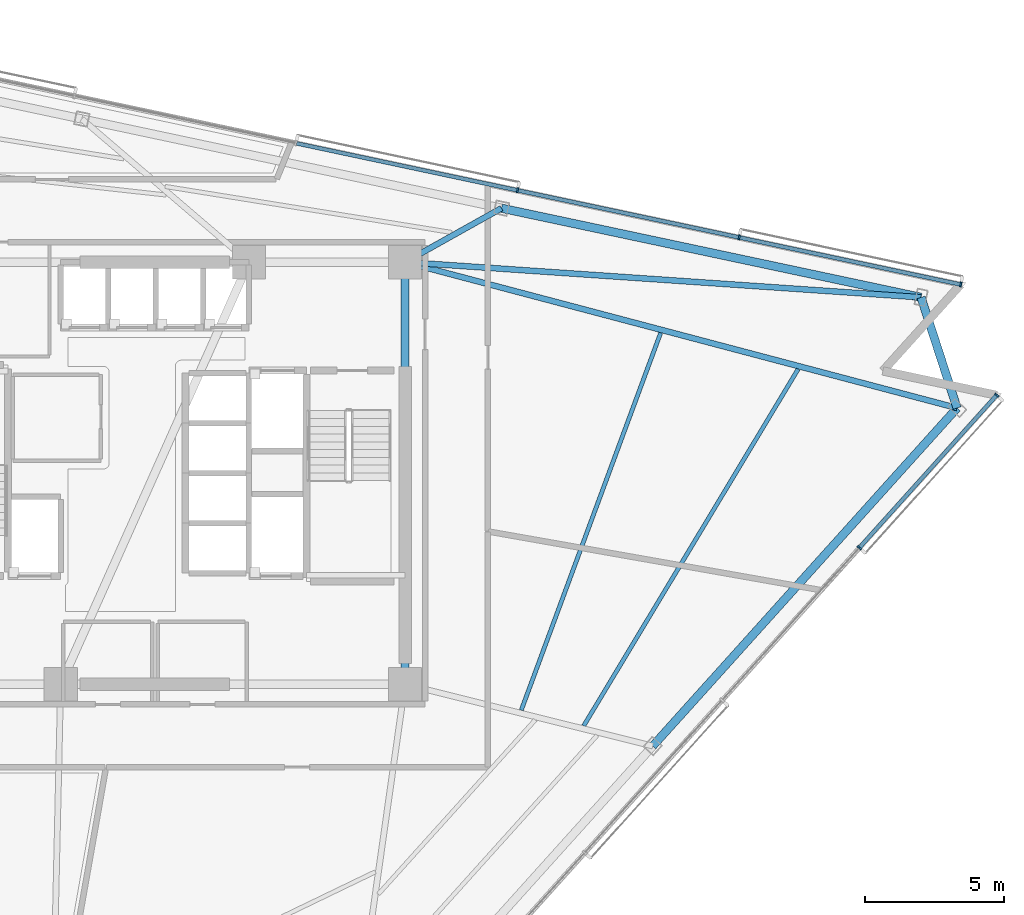
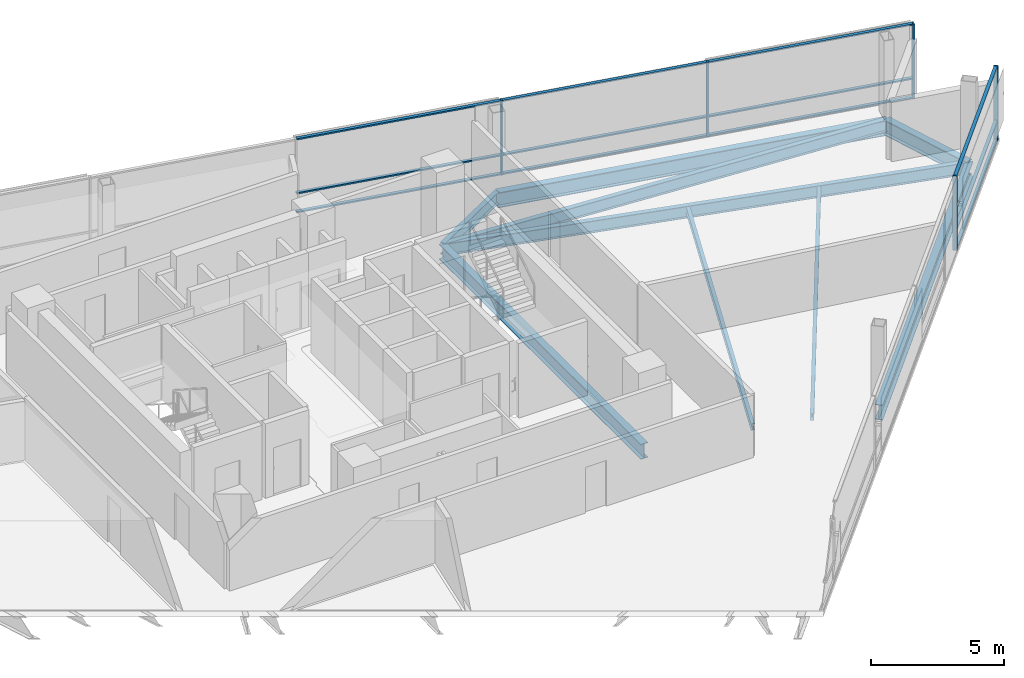
# One storey, part 8 of 16: 17 members, 9 beams, 2 elements without a shape of their own.
"""IFC4 building model written with IfcOpenShell, lengths in metres."""

from ifc_helpers import new_model, si_unit, direction, frame, origin, origin_2d, place, context, subcontext, project, spatial, rectangle, i_section, extrude, material, layer, layer_set, material_profile, profile_set, type_object, element, aggregate, save


model = new_model("IFC4")

# Units and contexts
model_context = context("Model", 3, precision=1e-05, world=origin(), true_north=direction((0.0, 1.0)))
body_context = subcontext(model_context, "Body", "Model", "MODEL_VIEW")
ifc_project = project(units=[si_unit("LENGTHUNIT", "METRE"), si_unit("AREAUNIT", "SQUARE_METRE"), si_unit("VOLUMEUNIT", "CUBIC_METRE"), si_unit("PLANEANGLEUNIT", "RADIAN"), si_unit("MASSUNIT", "GRAM", prefix="KILO")], contexts=[model_context])

# Site, building, storey
site_placement = place(None, origin())
site = spatial("IfcSite", under=ifc_project, at=site_placement, CompositionType="ELEMENT")
building_placement = place(site_placement, origin())
building = spatial("IfcBuilding", under=site, at=building_placement, Name="Tharavind Bronze Gate", CompositionType="ELEMENT")
storey_placement = place(building_placement, frame((0.0, 0.0, 211.25)))
storey = spatial("IfcBuildingStorey", under=building, at=storey_placement, Name="L54", CompositionType="ELEMENT", Elevation=211.25)

# Curtain wall, members
ifc_material_1 = material(Name="Anodised Bronze Aluminium", Category="aluminium")
ifc_layer = layer(ifc_material_1, 0.219970703125)
ifc_layer_set = layer_set([ifc_layer], Name="Anodised Bronze Aluminium")
curtain_wall_type = type_object("IfcCurtainWallType", Name="UNITISED CURTAIN WALL MID OFFICE", PredefinedType="USERDEFINED", material=ifc_layer_set)
curtain_wall_1_placement = place(storey_placement, origin())
curtain_wall_1 = element("IfcCurtainWall", 1, at=curtain_wall_1_placement, inside=storey, type_object=curtain_wall_type, Name="L54 unitised curtain wall mid office CW-L54-S2", ObjectType="UNITISED CURTAIN WALL", PredefinedType="USERDEFINED")
member_type_1 = type_object("IfcMemberType", Name="CURTAIN WALL BRONZE MULLION 65X180", PredefinedType="MULLION", material=ifc_material_1)
member_1_placement = place(storey_placement, frame((25.2548828125, -2.680908203125, 0.0), z_axis=(0.0, 0.0, 1.0), x_axis=(0.669130606359, 0.743144825477, 0.0)))
member_1 = element("IfcMember", 2, at=member_1_placement, type_object=member_type_1, Name="CW-L54-S2 mullion 7", PredefinedType="MULLION", context=body_context, shape_type="SweptSolid", body=[
    extrude(rectangle(XDim=0.06494140625, YDim=0.179931640625, at=origin_2d()), origin(), (0.0, 0.0, 1.0), 3.419921875),
])
member_2_placement = place(storey_placement, frame((30.199462890625, 2.810546875, 0.0), z_axis=(0.0, 0.0, 1.0), x_axis=(0.669130606359, 0.743144825477, 0.0)))
member_2 = element("IfcMember", 3, at=member_2_placement, type_object=member_type_1, Name="CW-L54-S2 mullion 8", PredefinedType="MULLION", context=body_context, shape_type="SweptSolid", body=[
    extrude(rectangle(XDim=0.06494140625, YDim=0.179931640625, at=origin_2d()), origin(), (0.0, 0.0, 1.0), 3.419921875),
])

curtain_wall_2_placement = place(storey_placement, origin())
curtain_wall_2 = element("IfcCurtainWall", 4, at=curtain_wall_2_placement, inside=storey, type_object=curtain_wall_type, Name="L54 unitised curtain wall mid office CW-L54-S3", ObjectType="UNITISED CURTAIN WALL", PredefinedType="USERDEFINED")
member_3_placement = place(storey_placement, frame((28.9052734375, 6.793701171875, 0.0), z_axis=(0.0, 0.0, 1.0), x_axis=(-0.978147600734, 0.207911690818, 0.0)))
member_3 = element("IfcMember", 5, at=member_3_placement, type_object=member_type_1, Name="CW-L54-S3 mullion 1", PredefinedType="MULLION", context=body_context, shape_type="SweptSolid", body=[
    extrude(rectangle(XDim=0.06494140625, YDim=0.179931640625, at=origin_2d()), origin(), (0.0, 0.0, 1.0), 3.419921875),
])
member_4_placement = place(storey_placement, frame((20.927734375, 8.4892578125, 0.0), z_axis=(0.0, 0.0, 1.0), x_axis=(-0.978147600734, 0.207911690818, 0.0)))
member_4 = element("IfcMember", 6, at=member_4_placement, type_object=member_type_1, Name="CW-L54-S3 mullion 2", PredefinedType="MULLION", context=body_context, shape_type="SweptSolid", body=[
    extrude(rectangle(XDim=0.06494140625, YDim=0.179931640625, at=origin_2d()), origin(), (0.0, 0.0, 1.0), 3.419921875),
])
member_5_placement = place(storey_placement, frame((12.9501953125, 10.184814453125, 0.0), z_axis=(0.0, 0.0, 1.0), x_axis=(-0.978147600734, 0.207911690818, 0.0)))
member_5 = element("IfcMember", 7, at=member_5_placement, type_object=member_type_1, Name="CW-L54-S3 mullion 3", PredefinedType="MULLION", context=body_context, shape_type="SweptSolid", body=[
    extrude(rectangle(XDim=0.06494140625, YDim=0.179931640625, at=origin_2d()), origin(), (0.0, 0.0, 1.0), 3.419921875),
])

# Member
member_type_2 = type_object("IfcMemberType", Name="CURTAIN WALL BRONZE TRANSOM 65X140", PredefinedType="USERDEFINED", material=ifc_material_1)
member_6_placement = place(storey_placement, frame((27.72705078125, 0.06494140625, 0.0), z_axis=(0.0, 0.0, 1.0), x_axis=(0.669130606359, 0.743144825477, 0.0)))
member_6 = element("IfcMember", 8, at=member_6_placement, type_object=member_type_2, Name="CW-L54-S2 transom TB7", ObjectType="TRANSOM", PredefinedType="USERDEFINED", context=body_context, shape_type="SweptSolid", body=[
    extrude(rectangle(XDim=7.33642578125, YDim=0.139892578125, at=origin_2d()), origin(), (0.0, 0.0, 1.0), 0.06494140625),
])

member_7_placement = place(storey_placement, frame((27.72705078125, 0.06494140625, 0.867431640625), z_axis=(0.0, 0.0, 1.0), x_axis=(0.669130606359, 0.743144825477, 0.0)))
member_7 = element("IfcMember", 9, at=member_7_placement, type_object=member_type_2, Name="CW-L54-S2 transom TS7", ObjectType="TRANSOM", PredefinedType="USERDEFINED", context=body_context, shape_type="SweptSolid", body=[
    extrude(rectangle(XDim=7.33642578125, YDim=0.139892578125, at=origin_2d()), origin(), (0.0, 0.0, 1.0), 0.06494140625),
])

member_8_placement = place(storey_placement, frame((27.72705078125, 0.06494140625, 3.35498046875), z_axis=(0.0, 0.0, 1.0), x_axis=(0.669130606359, 0.743144825477, 0.0)))
member_8 = element("IfcMember", 10, at=member_8_placement, type_object=member_type_2, Name="CW-L54-S2 transom TT7", ObjectType="TRANSOM", PredefinedType="USERDEFINED", context=body_context, shape_type="SweptSolid", body=[
    extrude(rectangle(XDim=7.33642578125, YDim=0.139892578125, at=origin_2d()), origin(), (0.0, 0.0, 1.0), 0.06494140625),
])

aggregate(curtain_wall_1, [member_1, member_2, member_6, member_7, member_8])

member_9_placement = place(storey_placement, frame((24.91650390625, 7.641357421875, 0.0), z_axis=(0.0, 0.0, 1.0), x_axis=(-0.978147600734, 0.207911690818, 0.0)))
member_9 = element("IfcMember", 11, at=member_9_placement, type_object=member_type_2, Name="CW-L54-S3 transom TB1", ObjectType="TRANSOM", PredefinedType="USERDEFINED", context=body_context, shape_type="SweptSolid", body=[
    extrude(rectangle(XDim=8.102783203125, YDim=0.139892578125, at=origin_2d()), origin(), (0.0, 0.0, 1.0), 0.06494140625),
])

member_10_placement = place(storey_placement, frame((24.91650390625, 7.641357421875, 0.867431640625), z_axis=(0.0, 0.0, 1.0), x_axis=(-0.978147600734, 0.207911690818, 0.0)))
member_10 = element("IfcMember", 12, at=member_10_placement, type_object=member_type_2, Name="CW-L54-S3 transom TS1", ObjectType="TRANSOM", PredefinedType="USERDEFINED", context=body_context, shape_type="SweptSolid", body=[
    extrude(rectangle(XDim=8.102783203125, YDim=0.139892578125, at=origin_2d()), origin(), (0.0, 0.0, 1.0), 0.06494140625),
])

member_11_placement = place(storey_placement, frame((24.91650390625, 7.641357421875, 3.35498046875), z_axis=(0.0, 0.0, 1.0), x_axis=(-0.978147600734, 0.207911690818, 0.0)))
member_11 = element("IfcMember", 13, at=member_11_placement, type_object=member_type_2, Name="CW-L54-S3 transom TT1", ObjectType="TRANSOM", PredefinedType="USERDEFINED", context=body_context, shape_type="SweptSolid", body=[
    extrude(rectangle(XDim=8.102783203125, YDim=0.139892578125, at=origin_2d()), origin(), (0.0, 0.0, 1.0), 0.06494140625),
])

member_12_placement = place(storey_placement, frame((16.93896484375, 9.337158203125, 0.0), z_axis=(0.0, 0.0, 1.0), x_axis=(-0.978147600734, 0.207911690818, 0.0)))
member_12 = element("IfcMember", 14, at=member_12_placement, type_object=member_type_2, Name="CW-L54-S3 transom TB2", ObjectType="TRANSOM", PredefinedType="USERDEFINED", context=body_context, shape_type="SweptSolid", body=[
    extrude(rectangle(XDim=8.102783203125, YDim=0.139892578125, at=origin_2d()), origin(), (0.0, 0.0, 1.0), 0.06494140625),
])

member_13_placement = place(storey_placement, frame((16.93896484375, 9.337158203125, 0.867431640625), z_axis=(0.0, 0.0, 1.0), x_axis=(-0.978147600734, 0.207911690818, 0.0)))
member_13 = element("IfcMember", 15, at=member_13_placement, type_object=member_type_2, Name="CW-L54-S3 transom TS2", ObjectType="TRANSOM", PredefinedType="USERDEFINED", context=body_context, shape_type="SweptSolid", body=[
    extrude(rectangle(XDim=8.102783203125, YDim=0.139892578125, at=origin_2d()), origin(), (0.0, 0.0, 1.0), 0.06494140625),
])

member_14_placement = place(storey_placement, frame((16.93896484375, 9.337158203125, 3.35498046875), z_axis=(0.0, 0.0, 1.0), x_axis=(-0.978147600734, 0.207911690818, 0.0)))
member_14 = element("IfcMember", 16, at=member_14_placement, type_object=member_type_2, Name="CW-L54-S3 transom TT2", ObjectType="TRANSOM", PredefinedType="USERDEFINED", context=body_context, shape_type="SweptSolid", body=[
    extrude(rectangle(XDim=8.102783203125, YDim=0.139892578125, at=origin_2d()), origin(), (0.0, 0.0, 1.0), 0.06494140625),
])

member_15_placement = place(storey_placement, frame((8.96142578125, 11.03271484375, 0.0), z_axis=(0.0, 0.0, 1.0), x_axis=(-0.978147600734, 0.207911690818, 0.0)))
member_15 = element("IfcMember", 17, at=member_15_placement, type_object=member_type_2, Name="CW-L54-S3 transom TB3", ObjectType="TRANSOM", PredefinedType="USERDEFINED", context=body_context, shape_type="SweptSolid", body=[
    extrude(rectangle(XDim=8.102783203125, YDim=0.139892578125, at=origin_2d()), origin(), (0.0, 0.0, 1.0), 0.06494140625),
])

member_16_placement = place(storey_placement, frame((8.96142578125, 11.03271484375, 0.867431640625), z_axis=(0.0, 0.0, 1.0), x_axis=(-0.978147600734, 0.207911690818, 0.0)))
member_16 = element("IfcMember", 18, at=member_16_placement, type_object=member_type_2, Name="CW-L54-S3 transom TS3", ObjectType="TRANSOM", PredefinedType="USERDEFINED", context=body_context, shape_type="SweptSolid", body=[
    extrude(rectangle(XDim=8.102783203125, YDim=0.139892578125, at=origin_2d()), origin(), (0.0, 0.0, 1.0), 0.06494140625),
])

member_17_placement = place(storey_placement, frame((8.96142578125, 11.03271484375, 3.35498046875), z_axis=(0.0, 0.0, 1.0), x_axis=(-0.978147600734, 0.207911690818, 0.0)))
member_17 = element("IfcMember", 19, at=member_17_placement, type_object=member_type_2, Name="CW-L54-S3 transom TT3", ObjectType="TRANSOM", PredefinedType="USERDEFINED", context=body_context, shape_type="SweptSolid", body=[
    extrude(rectangle(XDim=8.102783203125, YDim=0.139892578125, at=origin_2d()), origin(), (0.0, 0.0, 1.0), 0.06494140625),
])

aggregate(curtain_wall_2, [member_3, member_4, member_5, member_9, member_10, member_11, member_12, member_13, member_14, member_15, member_16, member_17])

# Beams
ifc_material_2 = material(Name="Steel S355", Category="steel")
ifc_material_profile_1 = material_profile(ifc_material_2, i_section(OverallWidth=0.2099609375, OverallDepth=0.550048828125, WebThickness=0.010986328125, FlangeThickness=0.01708984375, at=origin_2d()), Name="IPE550")
ifc_profile_set_1 = profile_set([ifc_material_profile_1], Name="Steel S355")
beam_type_1 = type_object("IfcBeamType", Name="PRIMARY GIRDER IPE550", PredefinedType="USERDEFINED", material=ifc_profile_set_1)
beam_1_placement = place(storey_placement, frame((28.772705078125, 2.34716796875, -0.455078125), z_axis=(-0.966795643793, 0.255550744749, 0.0), x_axis=(-0.255550744749, -0.966795643793, 0.0)))
element("IfcBeam", 20, at=beam_1_placement, inside=storey, type_object=beam_type_1, Name="L54 primary girder ipe550 BM-L54-RAD08", ObjectType="GIRDER", PredefinedType="USERDEFINED", context=body_context, shape_type="SweptSolid", body=[
    extrude(i_section(OverallWidth=0.2099609375, OverallDepth=0.550048828125, WebThickness=0.010986328125, FlangeThickness=0.01708984375, at=origin_2d()), origin(), (0.0, 0.0, 1.0), 20.555419921875),
])
beam_2_placement = place(storey_placement, frame((27.478515625, 6.330078125, -0.455078125), z_axis=(-0.997671665482, 0.068200057871, 0.0), x_axis=(-0.068200057871, -0.997671665482, 0.0)))
element("IfcBeam", 21, at=beam_2_placement, inside=storey, type_object=beam_type_1, Name="L54 primary girder ipe550 BM-L54-RAD09", ObjectType="GIRDER", PredefinedType="USERDEFINED", context=body_context, shape_type="SweptSolid", body=[
    extrude(i_section(OverallWidth=0.2099609375, OverallDepth=0.550048828125, WebThickness=0.010986328125, FlangeThickness=0.01708984375, at=origin_2d()), origin(), (0.0, 0.0, 1.0), 18.6220703125),
])
beam_3_placement = place(storey_placement, frame((12.370849609375, 9.54150390625, -0.455078125), z_axis=(-0.872755044117, -0.488158409708, 0.0), x_axis=(0.488158409708, -0.872755044117, 0.0)))
element("IfcBeam", 22, at=beam_3_placement, inside=storey, type_object=beam_type_1, Name="L54 primary girder ipe550 BM-L54-RAD10", ObjectType="GIRDER", PredefinedType="USERDEFINED", context=body_context, shape_type="SweptSolid", body=[
    extrude(i_section(OverallWidth=0.2099609375, OverallDepth=0.550048828125, WebThickness=0.010986328125, FlangeThickness=0.01708984375, at=origin_2d()), origin(), (0.0, 0.0, 1.0), 3.97705078125),
])
ifc_material_profile_2 = material_profile(ifc_material_2, i_section(OverallWidth=0.300048828125, OverallDepth=0.699951171875, WebThickness=0.01708984375, FlangeThickness=0.031982421875, at=origin_2d()), Name="HE700B")
ifc_profile_set_2 = profile_set([ifc_material_profile_2], Name="Steel S355")
beam_type_2 = type_object("IfcBeamType", Name="RING GIRDER HE700B", PredefinedType="USERDEFINED", material=ifc_profile_set_2)
beam_4_placement = place(storey_placement, frame((8.89990234375, -7.60009765625, -0.530029296875), z_axis=(0.0, 1.0, 0.0), x_axis=(-1.0, 0.0, 0.0)))
element("IfcBeam", 23, at=beam_4_placement, inside=storey, type_object=beam_type_2, Name="L54 ring girder he700b BM-L54-CR3", ObjectType="GIRDER", PredefinedType="USERDEFINED", context=body_context, shape_type="SweptSolid", body=[
    extrude(i_section(OverallWidth=0.300048828125, OverallDepth=0.699951171875, WebThickness=0.01708984375, FlangeThickness=0.031982421875, at=origin_2d()), origin(), (0.0, 0.0, 1.0), 15.2001953125),
])
beam_5_placement = place(storey_placement, frame((17.815185546875, -9.82275390625, -0.530029296875), z_axis=(0.669119566961, 0.743154765248, 0.0), x_axis=(-0.743154765248, 0.669119566961, 0.0)))
element("IfcBeam", 24, at=beam_5_placement, inside=storey, type_object=beam_type_2, Name="L54 ring girder he700b BM-L54-PRG07", ObjectType="GIRDER", PredefinedType="USERDEFINED", context=body_context, shape_type="SweptSolid", body=[
    extrude(i_section(OverallWidth=0.300048828125, OverallDepth=0.699951171875, WebThickness=0.01708984375, FlangeThickness=0.031982421875, at=origin_2d()), origin(), (0.0, 0.0, 1.0), 16.3759765625),
])
beam_6_placement = place(storey_placement, frame((28.772705078125, 2.34716796875, -0.530029296875), z_axis=(-0.309030708092, 0.951052060329, 0.0), x_axis=(-0.951052060329, -0.309030708092, 0.0)))
element("IfcBeam", 25, at=beam_6_placement, inside=storey, type_object=beam_type_2, Name="L54 ring girder he700b BM-L54-PRG08", ObjectType="GIRDER", PredefinedType="USERDEFINED", context=body_context, shape_type="SweptSolid", body=[
    extrude(i_section(OverallWidth=0.300048828125, OverallDepth=0.699951171875, WebThickness=0.01708984375, FlangeThickness=0.031982421875, at=origin_2d()), origin(), (0.0, 0.0, 1.0), 4.18798828125),
])
beam_7_placement = place(storey_placement, frame((27.478515625, 6.330078125, -0.530029296875), z_axis=(-0.978145069448, 0.207923599223, 0.0), x_axis=(-0.207923599223, -0.978145069448, 0.0)))
element("IfcBeam", 26, at=beam_7_placement, inside=storey, type_object=beam_type_2, Name="L54 ring girder he700b BM-L54-PRG09", ObjectType="GIRDER", PredefinedType="USERDEFINED", context=body_context, shape_type="SweptSolid", body=[
    extrude(i_section(OverallWidth=0.300048828125, OverallDepth=0.699951171875, WebThickness=0.01708984375, FlangeThickness=0.031982421875, at=origin_2d()), origin(), (0.0, 0.0, 1.0), 15.4453125),
])
ifc_material_profile_3 = material_profile(ifc_material_2, i_section(OverallWidth=0.14990234375, OverallDepth=0.300048828125, WebThickness=0.007080078125, FlangeThickness=0.0107421875, at=origin_2d()), Name="IPE300")
ifc_profile_set_3 = profile_set([ifc_material_profile_3], Name="Steel S355")
beam_type_3 = type_object("IfcBeamType", Name="SECONDARY FLOOR JOIST IPE300", PredefinedType="JOIST", material=ifc_profile_set_3)
beam_8_placement = place(storey_placement, frame((13.08349609375, -8.53076171875, -0.330078125), z_axis=(0.346563730463, 0.938026428587, 0.0), x_axis=(-0.938026428587, 0.346563730463, 0.0)))
element("IfcBeam", 27, at=beam_8_placement, inside=storey, type_object=beam_type_3, Name="L54 secondary floor joist ipe300 BM-L54-JSTA07", PredefinedType="JOIST", context=body_context, shape_type="SweptSolid", body=[
    extrude(i_section(OverallWidth=0.14990234375, OverallDepth=0.300048828125, WebThickness=0.007080078125, FlangeThickness=0.0107421875, at=origin_2d()), origin(), (0.0, 0.0, 1.0), 14.48291015625),
])
beam_9_placement = place(storey_placement, frame((15.3330078125, -9.091796875, -0.330078125), z_axis=(0.515205011559, 0.857066972917, 0.0), x_axis=(-0.857066972917, 0.515205011559, 0.0)))
element("IfcBeam", 28, at=beam_9_placement, inside=storey, type_object=beam_type_3, Name="L54 secondary floor joist ipe300 BM-L54-JSTB07", PredefinedType="JOIST", context=body_context, shape_type="SweptSolid", body=[
    extrude(i_section(OverallWidth=0.14990234375, OverallDepth=0.300048828125, WebThickness=0.007080078125, FlangeThickness=0.0107421875, at=origin_2d()), origin(), (0.0, 0.0, 1.0), 14.97998046875),
])

save(model, "model.ifc")
